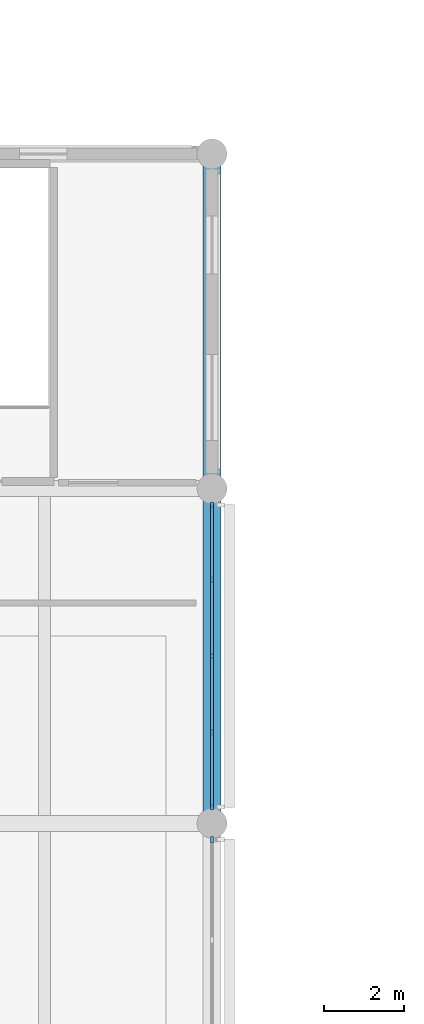
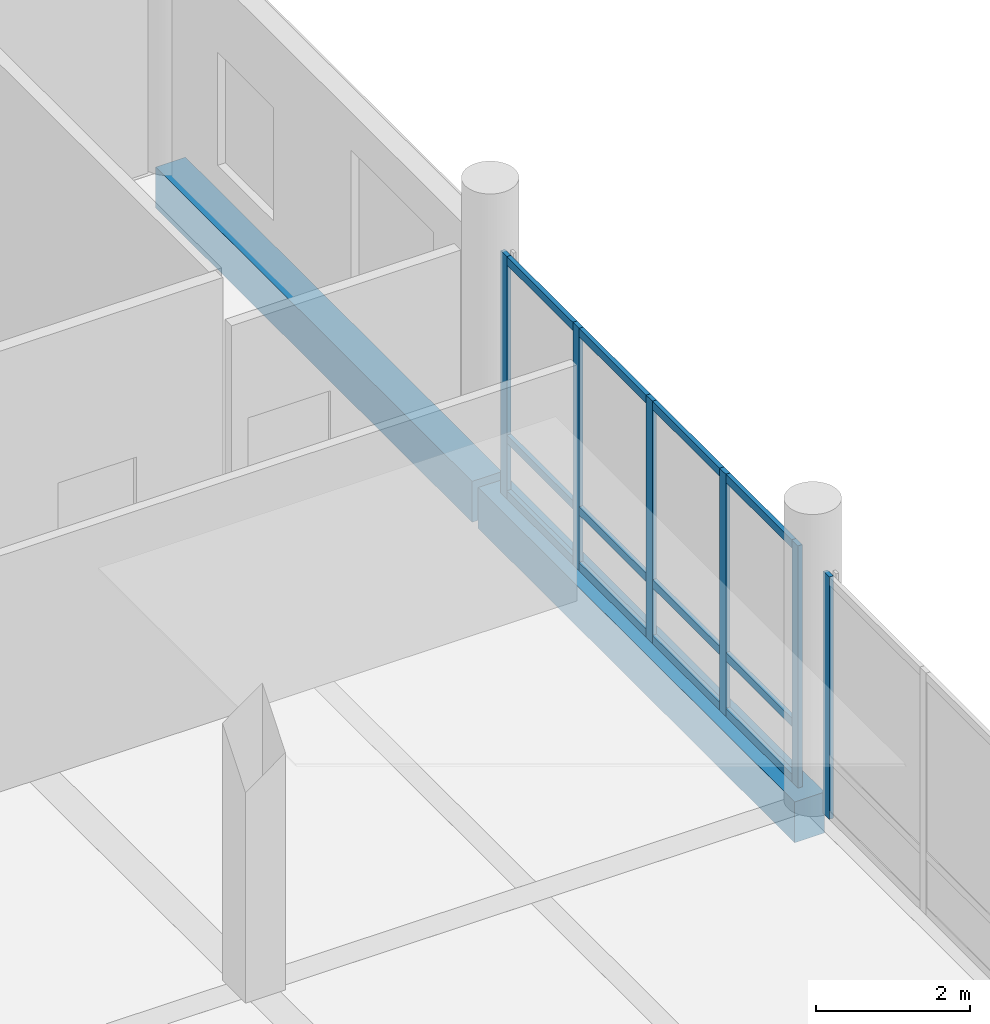
# One storey, part 16 of 122: 18 members, 2 beams, 2 elements without a shape of their own.
"""IFC4 building model written with IfcOpenShell, lengths in metres."""

from ifc_helpers import new_model, si_unit, direction, frame, origin, origin_2d, place, context, subcontext, project, spatial, rectangle, extrude, material, layer, layer_set, material_profile, profile_set, type_object, element, aggregate, save


model = new_model("IFC4")

# Units and contexts
model_context = context("Model", 3, precision=1e-05, world=origin(), true_north=direction((0.0, 1.0)))
body_context = subcontext(model_context, "Body", "Model", "MODEL_VIEW")
ifc_project = project(units=[si_unit("LENGTHUNIT", "METRE"), si_unit("AREAUNIT", "SQUARE_METRE"), si_unit("VOLUMEUNIT", "CUBIC_METRE"), si_unit("PLANEANGLEUNIT", "RADIAN"), si_unit("MASSUNIT", "GRAM", prefix="KILO")], contexts=[model_context])

# Site, building, storey
site_placement = place(None, origin())
site = spatial("IfcSite", under=ifc_project, at=site_placement, CompositionType="ELEMENT")
building_placement = place(site_placement, origin())
building = spatial("IfcBuilding", under=site, at=building_placement, Name="Telukmera Botanical Conservatory", CompositionType="ELEMENT")
storey_placement = place(building_placement, frame((0.0, 0.0, 10.199951171875)))
storey = spatial("IfcBuildingStorey", under=building, at=storey_placement, Name="L02", CompositionType="ELEMENT", Elevation=10.199951171875)

# Beams
ifc_material_1 = material(Name="Concrete C40/50", Category="concrete")
ifc_material_profile_1 = material_profile(ifc_material_1, rectangle(XDim=0.449951171875, YDim=0.64990234375, at=origin_2d()), Name="RC 450x650")
ifc_profile_set_1 = profile_set([ifc_material_profile_1], Name="Concrete C40/50")
beam_type = type_object("IfcBeamType", Name="Beam_B16", PredefinedType="BEAM", material=ifc_profile_set_1)
for number, where, z_axis, x_axis, name in (
    (1, (42.0, 58.080078125, -0.324951171875), (0.0, 1.0, 0.0), (-1.0, 0.0, 0.0), "Visitor Wing Transverse Beam L02"),
    (2, (42.0, 66.47998046875, -0.324951171875), (0.0, 1.0, 0.0), (-1.0, 0.0, 0.0), "Visitor Wing Transverse Beam L02"),
):
    element("IfcBeam", number, at=place(storey_placement, frame(where, z_axis=z_axis, x_axis=x_axis)), inside=storey, type_object=beam_type, Name=name, PredefinedType="BEAM", context=body_context, shape_type="SweptSolid", body=[
        extrude(rectangle(XDim=0.449951171875, YDim=0.64990234375, at=origin_2d()), origin(), (0.0, 0.0, 1.0), 8.239990234375),
    ])

# Curtain wall, member
ifc_material_2 = material(Name="Anodised aluminium 6063-T6", Category="aluminium")
ifc_layer_1 = layer(ifc_material_2, 0.179931640625)
ifc_layer_set_1 = layer_set([ifc_layer_1], Name="Anodised aluminium 6063-T6")
curtain_wall_type_1 = type_object("IfcCurtainWallType", Name="Visitor Gallery Second Floor Curtain Wall 2400 Mod", PredefinedType="USERDEFINED", material=ifc_layer_set_1)
curtain_wall_1_placement = place(storey_placement, origin())
curtain_wall_1 = element("IfcCurtainWall", 3, at=curtain_wall_1_placement, inside=storey, type_object=curtain_wall_type_1, Name="Unitised Curtain Wall CW09 V3:L02:E5", ObjectType="UNITISED CURTAIN WALL", PredefinedType="USERDEFINED")
ifc_material_profile_2 = material_profile(ifc_material_2, rectangle(XDim=0.06494140625, YDim=0.159912109375, at=origin_2d()), Name="ALU MULL 65x160")
ifc_profile_set_2 = profile_set([ifc_material_profile_2], Name="Anodised aluminium 6063-T6")
member_type_1 = type_object("IfcMemberType", Name="Curtain Wall Extruded Mullion 65x160", PredefinedType="MULLION", material=ifc_profile_set_2)
member_1_placement = place(storey_placement, frame((42.0, 57.590576171875, 0.0), z_axis=(0.0, 0.0, 1.0), x_axis=(-1.0, 0.0, 0.0)))
member_1 = element("IfcMember", 4, at=member_1_placement, type_object=member_type_1, Name="CW09 mullion 4", PredefinedType="MULLION", context=body_context, shape_type="SweptSolid", body=[
    extrude(rectangle(XDim=0.06494140625, YDim=0.159912109375, at=origin_2d()), origin(), (0.0, 0.0, 1.0), 3.85009765625),
])
aggregate(curtain_wall_1, [member_1])

# Curtain wall, members
ifc_layer_2 = layer(ifc_material_2, 0.179931640625)
ifc_layer_set_2 = layer_set([ifc_layer_2], Name="Anodised aluminium 6063-T6")
curtain_wall_type_2 = type_object("IfcCurtainWallType", Name="Visitor Gallery First Floor Curtain Wall 1800 Mod", PredefinedType="USERDEFINED", material=ifc_layer_set_2)
curtain_wall_2_placement = place(storey_placement, origin())
curtain_wall_2 = element("IfcCurtainWall", 5, at=curtain_wall_2_placement, inside=storey, type_object=curtain_wall_type_2, Name="Unitised Curtain Wall CW08 V3:L02:E6", ObjectType="UNITISED CURTAIN WALL", PredefinedType="USERDEFINED")
member_2_placement = place(storey_placement, frame((42.0, 58.409423828125, 0.0), z_axis=(0.0, 0.0, 1.0), x_axis=(-1.0, 0.0, 0.0)))
member_2 = element("IfcMember", 6, at=member_2_placement, type_object=member_type_1, Name="CW08 mullion 1", PredefinedType="MULLION", context=body_context, shape_type="SweptSolid", body=[
    extrude(rectangle(XDim=0.06494140625, YDim=0.159912109375, at=origin_2d()), origin(), (0.0, 0.0, 1.0), 3.85009765625),
])
member_3_placement = place(storey_placement, frame((42.0, 60.28857421875, 0.0), z_axis=(0.0, 0.0, 1.0), x_axis=(-1.0, 0.0, 0.0)))
member_3 = element("IfcMember", 7, at=member_3_placement, type_object=member_type_1, Name="CW08 mullion 2", PredefinedType="MULLION", context=body_context, shape_type="SweptSolid", body=[
    extrude(rectangle(XDim=0.06494140625, YDim=0.159912109375, at=origin_2d()), origin(), (0.0, 0.0, 1.0), 3.85009765625),
])
member_4_placement = place(storey_placement, frame((42.0, 62.199951171875, 0.0), z_axis=(0.0, 0.0, 1.0), x_axis=(-1.0, 0.0, 0.0)))
member_4 = element("IfcMember", 8, at=member_4_placement, type_object=member_type_1, Name="CW08 mullion 3", PredefinedType="MULLION", context=body_context, shape_type="SweptSolid", body=[
    extrude(rectangle(XDim=0.06494140625, YDim=0.159912109375, at=origin_2d()), origin(), (0.0, 0.0, 1.0), 3.85009765625),
])
member_5_placement = place(storey_placement, frame((42.0, 64.111572265625, 0.0), z_axis=(0.0, 0.0, 1.0), x_axis=(-1.0, 0.0, 0.0)))
member_5 = element("IfcMember", 9, at=member_5_placement, type_object=member_type_1, Name="CW08 mullion 4", PredefinedType="MULLION", context=body_context, shape_type="SweptSolid", body=[
    extrude(rectangle(XDim=0.06494140625, YDim=0.159912109375, at=origin_2d()), origin(), (0.0, 0.0, 1.0), 3.85009765625),
])
member_6_placement = place(storey_placement, frame((42.0, 65.990478515625, 0.0), z_axis=(0.0, 0.0, 1.0), x_axis=(-1.0, 0.0, 0.0)))
member_6 = element("IfcMember", 10, at=member_6_placement, type_object=member_type_1, Name="CW08 mullion 5", PredefinedType="MULLION", context=body_context, shape_type="SweptSolid", body=[
    extrude(rectangle(XDim=0.06494140625, YDim=0.159912109375, at=origin_2d()), origin(), (0.0, 0.0, 1.0), 3.85009765625),
])
ifc_material_profile_3 = material_profile(ifc_material_2, rectangle(XDim=0.06494140625, YDim=0.1298828125, at=origin_2d()), Name="ALU TRAN 65x130")
ifc_profile_set_3 = profile_set([ifc_material_profile_3], Name="Anodised aluminium 6063-T6")
member_type_2 = type_object("IfcMemberType", Name="Curtain Wall Extruded Transom 65x130", PredefinedType="USERDEFINED", material=ifc_profile_set_3)
member_7_placement = place(storey_placement, frame((42.0, 58.44189453125, 0.06494140625), z_axis=(0.0, 1.0, 0.0), x_axis=(-1.0, 0.0, 0.0)))
member_7 = element("IfcMember", 11, at=member_7_placement, type_object=member_type_2, Name="CW08 transom 1.1", ObjectType="TRANSOM", PredefinedType="USERDEFINED", context=body_context, shape_type="SweptSolid", body=[
    extrude(rectangle(XDim=0.06494140625, YDim=0.1298828125, at=origin_2d()), origin(), (0.0, 0.0, 1.0), 1.814208984375),
])
member_8_placement = place(storey_placement, frame((42.0, 58.44189453125, 0.949951171875), z_axis=(0.0, 1.0, 0.0), x_axis=(-1.0, 0.0, 0.0)))
member_8 = element("IfcMember", 12, at=member_8_placement, type_object=member_type_2, Name="CW08 transom 1.2", ObjectType="TRANSOM", PredefinedType="USERDEFINED", context=body_context, shape_type="SweptSolid", body=[
    extrude(rectangle(XDim=0.06494140625, YDim=0.1298828125, at=origin_2d()), origin(), (0.0, 0.0, 1.0), 1.814208984375),
])
member_9_placement = place(storey_placement, frame((42.0, 58.44189453125, 3.78515625), z_axis=(0.0, 1.0, 0.0), x_axis=(-1.0, 0.0, 0.0)))
member_9 = element("IfcMember", 13, at=member_9_placement, type_object=member_type_2, Name="CW08 transom 1.3", ObjectType="TRANSOM", PredefinedType="USERDEFINED", context=body_context, shape_type="SweptSolid", body=[
    extrude(rectangle(XDim=0.06494140625, YDim=0.1298828125, at=origin_2d()), origin(), (0.0, 0.0, 1.0), 1.814208984375),
])
member_10_placement = place(storey_placement, frame((42.0, 60.321044921875, 0.06494140625), z_axis=(0.0, 1.0, 0.0), x_axis=(-1.0, 0.0, 0.0)))
member_10 = element("IfcMember", 14, at=member_10_placement, type_object=member_type_2, Name="CW08 transom 2.1", ObjectType="TRANSOM", PredefinedType="USERDEFINED", context=body_context, shape_type="SweptSolid", body=[
    extrude(rectangle(XDim=0.06494140625, YDim=0.1298828125, at=origin_2d()), origin(), (0.0, 0.0, 1.0), 1.846435546875),
])
member_11_placement = place(storey_placement, frame((42.0, 60.321044921875, 0.949951171875), z_axis=(0.0, 1.0, 0.0), x_axis=(-1.0, 0.0, 0.0)))
member_11 = element("IfcMember", 15, at=member_11_placement, type_object=member_type_2, Name="CW08 transom 2.2", ObjectType="TRANSOM", PredefinedType="USERDEFINED", context=body_context, shape_type="SweptSolid", body=[
    extrude(rectangle(XDim=0.06494140625, YDim=0.1298828125, at=origin_2d()), origin(), (0.0, 0.0, 1.0), 1.846435546875),
])
member_12_placement = place(storey_placement, frame((42.0, 60.321044921875, 3.78515625), z_axis=(0.0, 1.0, 0.0), x_axis=(-1.0, 0.0, 0.0)))
member_12 = element("IfcMember", 16, at=member_12_placement, type_object=member_type_2, Name="CW08 transom 2.3", ObjectType="TRANSOM", PredefinedType="USERDEFINED", context=body_context, shape_type="SweptSolid", body=[
    extrude(rectangle(XDim=0.06494140625, YDim=0.1298828125, at=origin_2d()), origin(), (0.0, 0.0, 1.0), 1.846435546875),
])
member_13_placement = place(storey_placement, frame((42.0, 62.232421875, 0.06494140625), z_axis=(0.0, 1.0, 0.0), x_axis=(-1.0, 0.0, 0.0)))
member_13 = element("IfcMember", 17, at=member_13_placement, type_object=member_type_2, Name="CW08 transom 3.1", ObjectType="TRANSOM", PredefinedType="USERDEFINED", context=body_context, shape_type="SweptSolid", body=[
    extrude(rectangle(XDim=0.06494140625, YDim=0.1298828125, at=origin_2d()), origin(), (0.0, 0.0, 1.0), 1.8466796875),
])
member_14_placement = place(storey_placement, frame((42.0, 62.232421875, 0.949951171875), z_axis=(0.0, 1.0, 0.0), x_axis=(-1.0, 0.0, 0.0)))
member_14 = element("IfcMember", 18, at=member_14_placement, type_object=member_type_2, Name="CW08 transom 3.2", ObjectType="TRANSOM", PredefinedType="USERDEFINED", context=body_context, shape_type="SweptSolid", body=[
    extrude(rectangle(XDim=0.06494140625, YDim=0.1298828125, at=origin_2d()), origin(), (0.0, 0.0, 1.0), 1.8466796875),
])
member_15_placement = place(storey_placement, frame((42.0, 62.232421875, 3.78515625), z_axis=(0.0, 1.0, 0.0), x_axis=(-1.0, 0.0, 0.0)))
member_15 = element("IfcMember", 19, at=member_15_placement, type_object=member_type_2, Name="CW08 transom 3.3", ObjectType="TRANSOM", PredefinedType="USERDEFINED", context=body_context, shape_type="SweptSolid", body=[
    extrude(rectangle(XDim=0.06494140625, YDim=0.1298828125, at=origin_2d()), origin(), (0.0, 0.0, 1.0), 1.8466796875),
])
member_16_placement = place(storey_placement, frame((42.0, 64.14404296875, 0.06494140625), z_axis=(0.0, 1.0, 0.0), x_axis=(-1.0, 0.0, 0.0)))
member_16 = element("IfcMember", 20, at=member_16_placement, type_object=member_type_2, Name="CW08 transom 4.1", ObjectType="TRANSOM", PredefinedType="USERDEFINED", context=body_context, shape_type="SweptSolid", body=[
    extrude(rectangle(XDim=0.06494140625, YDim=0.1298828125, at=origin_2d()), origin(), (0.0, 0.0, 1.0), 1.81396484375),
])
member_17_placement = place(storey_placement, frame((42.0, 64.14404296875, 0.949951171875), z_axis=(0.0, 1.0, 0.0), x_axis=(-1.0, 0.0, 0.0)))
member_17 = element("IfcMember", 21, at=member_17_placement, type_object=member_type_2, Name="CW08 transom 4.2", ObjectType="TRANSOM", PredefinedType="USERDEFINED", context=body_context, shape_type="SweptSolid", body=[
    extrude(rectangle(XDim=0.06494140625, YDim=0.1298828125, at=origin_2d()), origin(), (0.0, 0.0, 1.0), 1.81396484375),
])
member_18_placement = place(storey_placement, frame((42.0, 64.14404296875, 3.78515625), z_axis=(0.0, 1.0, 0.0), x_axis=(-1.0, 0.0, 0.0)))
member_18 = element("IfcMember", 22, at=member_18_placement, type_object=member_type_2, Name="CW08 transom 4.3", ObjectType="TRANSOM", PredefinedType="USERDEFINED", context=body_context, shape_type="SweptSolid", body=[
    extrude(rectangle(XDim=0.06494140625, YDim=0.1298828125, at=origin_2d()), origin(), (0.0, 0.0, 1.0), 1.81396484375),
])
aggregate(curtain_wall_2, [member_2, member_3, member_4, member_5, member_6, member_7, member_8, member_9, member_10, member_11, member_12, member_13, member_14, member_15, member_16, member_17, member_18])

save(model, "model.ifc")
